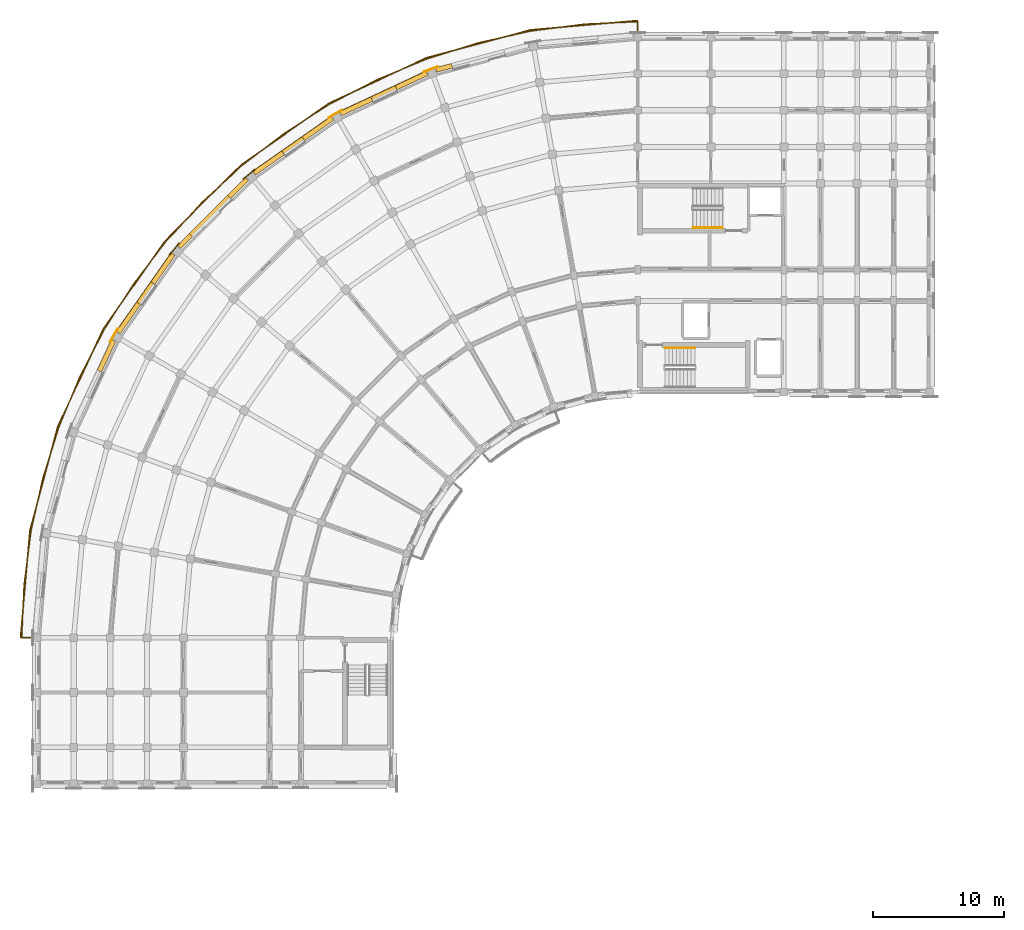
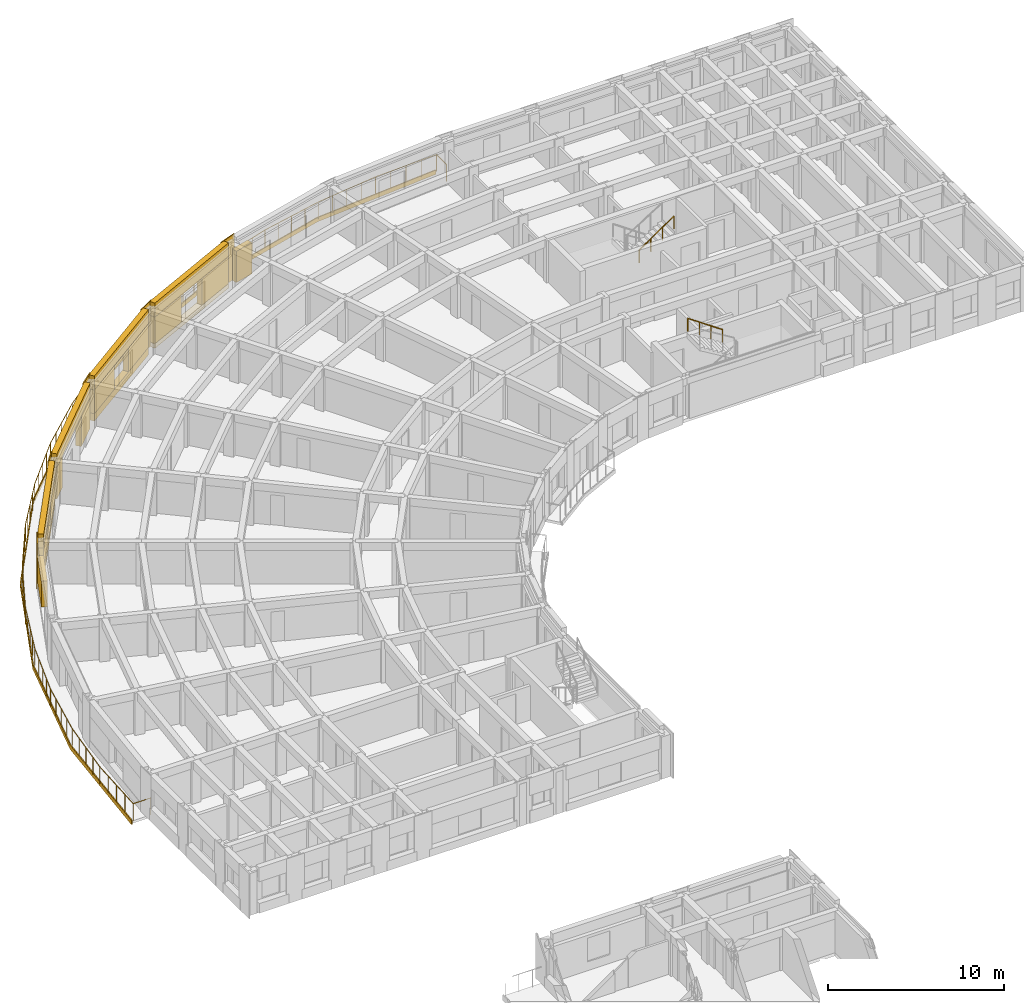
# One storey, part 44 of 53: 23 coverings, 3 railings.
"""IFC4 building model written with IfcOpenShell, lengths in metres."""

from ifc_helpers import new_model, si_unit, direction, frame, origin, origin_2d, place, context, subcontext, project, spatial, polyline, circle, outline, extrude, material, layer, layer_set, type_object, element, save


model = new_model("IFC4")

# Units and contexts
model_context = context("Model", 3, precision=1e-05, world=origin(), true_north=direction((0.0, 1.0)))
body_context = subcontext(model_context, "Body", "Model", "MODEL_VIEW")
ifc_project = project(units=[si_unit("LENGTHUNIT", "METRE"), si_unit("AREAUNIT", "SQUARE_METRE"), si_unit("VOLUMEUNIT", "CUBIC_METRE"), si_unit("PLANEANGLEUNIT", "RADIAN"), si_unit("MASSUNIT", "GRAM", prefix="KILO")], contexts=[model_context])

# Site, building, storey
site_placement = place(None, origin())
site = spatial("IfcSite", under=ifc_project, at=site_placement, CompositionType="ELEMENT")
building_placement = place(site_placement, origin())
building = spatial("IfcBuilding", under=site, at=building_placement, Name="Kiranvali Square Residences", CompositionType="ELEMENT")
storey_placement = place(building_placement, frame((0.0, 0.0, 30.75)))
storey = spatial("IfcBuildingStorey", under=building, at=storey_placement, Name="L09", CompositionType="ELEMENT", Elevation=30.75)

# Coverings
ifc_material_1 = material(Name="Carved Porbandar limestone classical entablature and cornice", Category="masonry")
ifc_layer_1 = layer(ifc_material_1, 0.072021484375)
ifc_layer_set_1 = layer_set([ifc_layer_1], Name="Carved Porbandar limestone classical entablature and cornice")
covering_type_1 = type_object("IfcCoveringType", Name="COV-CLAD-BAL", PredefinedType="CLADDING", material=ifc_layer_set_1)
covering_1_placement = place(storey_placement, frame((0.0, 0.0, -0.239990234375)))
element("IfcCovering", 1, at=covering_1_placement, inside=storey, type_object=covering_type_1, Name="Block A L09 continuous curved limestone balcony fascia", PredefinedType="CLADDING", context=body_context, shape_type="SweptSolid", body=[
    extrude(outline(polyline([(48.199951171875, 135.117919921875), (39.9833984375, 134.399169921875), (32.016357421875, 132.264404296875), (24.541015625, 128.778564453125), (17.78466796875, 124.047607421875), (11.952392578125, 118.21533203125), (7.221435546875, 111.458984375), (3.735595703125, 103.983642578125), (1.600830078125, 96.0166015625), (0.882080078125, 87.800048828125), (0.947998046875, 87.800048828125), (1.665771484375, 96.005126953125), (3.797607421875, 103.961181640625), (7.278564453125, 111.426025390625), (12.0029296875, 118.173095703125), (17.826904296875, 123.9970703125), (24.573974609375, 128.721435546875), (32.038818359375, 132.202392578125), (39.994873046875, 134.334228515625), (48.199951171875, 135.052001953125), (48.199951171875, 135.117919921875)])), origin(), (0.0, 0.0, 1.0), 0.300048828125),
])
ifc_material_2 = material(Name="Honed Porbandar limestone ashlar facade cladding", Category="masonry")
ifc_layer_2 = layer(ifc_material_2, 0.3798828125)
ifc_layer_set_2 = layer_set([ifc_layer_2], Name="Honed Porbandar limestone ashlar facade cladding")
covering_type_2 = type_object("IfcCoveringType", Name="COV-CLAD-JAMB", PredefinedType="CLADDING", material=ifc_layer_set_2)
covering_2_placement = place(storey_placement, origin())
element("IfcCovering", 2, at=covering_2_placement, inside=storey, type_object=covering_type_2, Name="L09 deep limestone window jamb reveal A-L09-CRV-01.R", PredefinedType="CLADDING", context=body_context, shape_type="SweptSolid", body=[
    extrude(outline(polyline([(33.922119140625, 131.788330078125), (32.7119140625, 131.464111328125), (32.804931640625, 131.116943359375), (34.01513671875, 131.441162109375), (33.922119140625, 131.788330078125)])), origin(), (0.0, 0.0, 1.0), 2.179931640625),
])
covering_3_placement = place(storey_placement, frame((0.0, 0.0, 0.322021484375)))
element("IfcCovering", 3, at=covering_3_placement, inside=storey, type_object=covering_type_2, Name="L09 deep limestone window jamb reveal A-L09-CRV-02.L", PredefinedType="CLADDING", context=body_context, shape_type="SweptSolid", body=[
    extrude(outline(polyline([(31.997802734375, 131.2041015625), (29.6103515625, 130.091064453125), (29.76220703125, 129.76513671875), (32.149658203125, 130.87841796875), (31.997802734375, 131.2041015625)])), origin(), (0.0, 0.0, 1.0), 1.85009765625),
])
covering_4_placement = place(storey_placement, frame((0.0, 0.0, 0.322021484375)))
element("IfcCovering", 4, at=covering_4_placement, inside=storey, type_object=covering_type_2, Name="L09 deep limestone window jamb reveal A-L09-CRV-02.R", PredefinedType="CLADDING", context=body_context, shape_type="SweptSolid", body=[
    extrude(outline(polyline([(27.75244140625, 129.224609375), (25.364990234375, 128.111328125), (25.51708984375, 127.78564453125), (27.904296875, 128.898681640625), (27.75244140625, 129.224609375)])), origin(), (0.0, 0.0, 1.0), 1.85009765625),
])
covering_5_placement = place(storey_placement, frame((0.0, 0.0, 0.52197265625)))
element("IfcCovering", 5, at=covering_5_placement, inside=storey, type_object=covering_type_2, Name="L09 deep limestone window jamb reveal A-L09-CRV-03.L", PredefinedType="CLADDING", context=body_context, shape_type="SweptSolid", body=[
    extrude(outline(polyline([(24.706787109375, 127.731201171875), (22.487548828125, 126.177490234375), (22.69384765625, 125.8828125), (24.9130859375, 127.436767578125), (24.706787109375, 127.731201171875)])), origin(), (0.0, 0.0, 1.0), 1.650146484375),
])
covering_6_placement = place(storey_placement, frame((0.0, 0.0, 0.52197265625)))
element("IfcCovering", 6, at=covering_6_placement, inside=storey, type_object=covering_type_2, Name="L09 deep limestone window jamb reveal A-L09-CRV-03.R", PredefinedType="CLADDING", context=body_context, shape_type="SweptSolid", body=[
    extrude(outline(polyline([(20.93115234375, 125.087646484375), (18.7119140625, 123.53369140625), (18.918212890625, 123.2392578125), (21.137451171875, 124.793212890625), (20.93115234375, 125.087646484375)])), origin(), (0.0, 0.0, 1.0), 1.650146484375),
])
covering_7_placement = place(storey_placement, origin())
element("IfcCovering", 7, at=covering_7_placement, inside=storey, type_object=covering_type_2, Name="L09 deep limestone window jamb reveal A-L09-CRV-04.L", PredefinedType="CLADDING", context=body_context, shape_type="SweptSolid", body=[
    extrude(outline(polyline([(18.129638671875, 123.045166015625), (16.778076171875, 121.693603515625), (17.032470703125, 121.439453125), (18.384033203125, 122.791015625), (18.129638671875, 123.045166015625)])), origin(), (0.0, 0.0, 1.0), 2.179931640625),
])
covering_8_placement = place(storey_placement, origin())
element("IfcCovering", 8, at=covering_8_placement, inside=storey, type_object=covering_type_2, Name="L09 deep limestone window jamb reveal A-L09-CRV-04.R", PredefinedType="CLADDING", context=body_context, shape_type="SweptSolid", body=[
    extrude(outline(polyline([(13.8408203125, 118.756103515625), (12.954833984375, 117.870361328125), (13.208984375, 117.615966796875), (14.094970703125, 118.501953125), (13.8408203125, 118.756103515625)])), origin(), (0.0, 0.0, 1.0), 2.179931640625),
])
covering_9_placement = place(storey_placement, frame((0.0, 0.0, 0.52197265625)))
element("IfcCovering", 9, at=covering_9_placement, inside=storey, type_object=covering_type_2, Name="L09 deep limestone window jamb reveal A-L09-CRV-05.L", PredefinedType="CLADDING", context=body_context, shape_type="SweptSolid", body=[
    extrude(outline(polyline([(12.46630859375, 117.2880859375), (10.912353515625, 115.06884765625), (11.206787109375, 114.862548828125), (12.7607421875, 117.081787109375), (12.46630859375, 117.2880859375)])), origin(), (0.0, 0.0, 1.0), 1.650146484375),
])
covering_10_placement = place(storey_placement, frame((0.0, 0.0, 0.52197265625)))
element("IfcCovering", 10, at=covering_10_placement, inside=storey, type_object=covering_type_2, Name="L09 deep limestone window jamb reveal A-L09-CRV-05.R", PredefinedType="CLADDING", context=body_context, shape_type="SweptSolid", body=[
    extrude(outline(polyline([(9.822509765625, 113.512451171875), (8.268798828125, 111.293212890625), (8.563232421875, 111.0869140625), (10.1171875, 113.30615234375), (9.822509765625, 113.512451171875)])), origin(), (0.0, 0.0, 1.0), 1.650146484375),
])
covering_11_placement = place(storey_placement, frame((0.0, 0.0, 0.3720703125)))
element("IfcCovering", 11, at=covering_11_placement, inside=storey, type_object=covering_type_2, Name="L09 deep limestone window jamb reveal A-L09-CRV-06.L", PredefinedType="CLADDING", context=body_context, shape_type="SweptSolid", body=[
    extrude(outline(polyline([(7.888671875, 110.635009765625), (6.80712890625, 108.3154296875), (7.1328125, 108.16357421875), (8.21435546875, 110.48291015625), (7.888671875, 110.635009765625)])), origin(), (0.0, 0.0, 1.0), 1.800048828125),
])
ifc_layer_3 = layer(ifc_material_2, 0.06494140625)
ifc_layer_set_3 = layer_set([ifc_layer_3], Name="Honed Porbandar limestone ashlar facade cladding")
covering_type_3 = type_object("IfcCoveringType", Name="COV-CLAD-PIER", PredefinedType="CLADDING", material=ifc_layer_set_3)
covering_12_placement = place(storey_placement, frame((0.0, 0.0, 0.0048828125)))
element("IfcCovering", 12, at=covering_12_placement, inside=storey, type_object=covering_type_3, Name="L09 Classical limestone corner pilaster CLAD-PR-A-L09-A02", PredefinedType="CLADDING", context=body_context, shape_type="SweptSolid", body=[
    extrude(outline(polyline([(32.88623046875, 131.570068359375), (31.796142578125, 131.17333984375), (31.8193359375, 131.10986328125), (32.909423828125, 131.506591796875), (32.88623046875, 131.570068359375)])), origin(), (0.0, 0.0, 1.0), 3.14013671875),
])
covering_13_placement = place(storey_placement, frame((0.0, 0.0, 0.0048828125)))
element("IfcCovering", 13, at=covering_13_placement, inside=storey, type_object=covering_type_3, Name="L09 Classical limestone corner pilaster CLAD-PR-A-L09-A03", PredefinedType="CLADDING", context=body_context, shape_type="SweptSolid", body=[
    extrude(outline(polyline([(25.518310546875, 128.245849609375), (24.513671875, 127.665771484375), (24.54736328125, 127.607421875), (25.552001953125, 128.1875), (25.518310546875, 128.245849609375)])), origin(), (0.0, 0.0, 1.0), 3.14013671875),
])
covering_14_placement = place(storey_placement, frame((0.0, 0.0, 0.0048828125)))
element("IfcCovering", 14, at=covering_14_placement, inside=storey, type_object=covering_type_3, Name="L09 Classical limestone corner pilaster CLAD-PR-A-L09-A04", PredefinedType="CLADDING", context=body_context, shape_type="SweptSolid", body=[
    extrude(outline(polyline([(18.839599609375, 123.69287109375), (17.950927734375, 122.947021484375), (17.994384765625, 122.8955078125), (18.8828125, 123.64111328125), (18.839599609375, 123.69287109375)])), origin(), (0.0, 0.0, 1.0), 3.14013671875),
])
covering_15_placement = place(storey_placement, frame((0.0, 0.0, 0.0048828125)))
element("IfcCovering", 15, at=covering_15_placement, inside=storey, type_object=covering_type_3, Name="L09 Classical limestone corner pilaster CLAD-PR-A-L09-A05", PredefinedType="CLADDING", context=body_context, shape_type="SweptSolid", body=[
    extrude(outline(polyline([(13.052978515625, 118.049072265625), (12.30712890625, 117.160400390625), (12.35888671875, 117.1171875), (13.1044921875, 118.005615234375), (13.052978515625, 118.049072265625)])), origin(), (0.0, 0.0, 1.0), 3.14013671875),
])
covering_16_placement = place(storey_placement, frame((0.0, 0.0, 0.0048828125)))
element("IfcCovering", 16, at=covering_16_placement, inside=storey, type_object=covering_type_3, Name="L09 Classical limestone corner pilaster CLAD-PR-A-L09-A06", PredefinedType="CLADDING", context=body_context, shape_type="SweptSolid", body=[
    extrude(outline(polyline([(8.334228515625, 111.486328125), (7.754150390625, 110.481689453125), (7.8125, 110.447998046875), (8.392578125, 111.45263671875), (8.334228515625, 111.486328125)])), origin(), (0.0, 0.0, 1.0), 3.14013671875),
])
ifc_layer_4 = layer(ifc_material_2, 0.360107421875)
ifc_layer_set_4 = layer_set([ifc_layer_4], Name="Honed Porbandar limestone ashlar facade cladding")
covering_type_4 = type_object("IfcCoveringType", Name="COV-CLAD-WALL", PredefinedType="CLADDING", material=ifc_layer_set_4)
covering_17_placement = place(storey_placement, frame((0.0, 0.0, 2.172119140625)))
element("IfcCovering", 17, at=covering_17_placement, inside=storey, type_object=covering_type_4, Name="L09 light limestone spandrel lintel A-L09-CRV-02", PredefinedType="CLADDING", context=body_context, shape_type="SweptSolid", body=[
    extrude(outline(polyline([(31.997802734375, 131.2041015625), (25.364990234375, 128.111328125), (25.51708984375, 127.78564453125), (32.149658203125, 130.87841796875), (31.997802734375, 131.2041015625)])), origin(), (0.0, 0.0, 1.0), 0.972900390625),
])
covering_18_placement = place(storey_placement, frame((0.0, 0.0, 0.0048828125)))
element("IfcCovering", 18, at=covering_18_placement, inside=storey, type_object=covering_type_4, Name="L09 limestone window sill apron A-L09-CRV-02", PredefinedType="CLADDING", context=body_context, shape_type="SweptSolid", body=[
    extrude(outline(polyline([(31.985107421875, 131.2314453125), (25.352294921875, 128.138671875), (25.51708984375, 127.78564453125), (32.149658203125, 130.87841796875), (31.985107421875, 131.2314453125)])), origin(), (0.0, 0.0, 1.0), 0.317138671875),
])
covering_19_placement = place(storey_placement, frame((0.0, 0.0, 2.172119140625)))
element("IfcCovering", 19, at=covering_19_placement, inside=storey, type_object=covering_type_4, Name="L09 light limestone spandrel lintel A-L09-CRV-03", PredefinedType="CLADDING", context=body_context, shape_type="SweptSolid", body=[
    extrude(outline(polyline([(24.706787109375, 127.731201171875), (18.7119140625, 123.53369140625), (18.918212890625, 123.2392578125), (24.9130859375, 127.436767578125), (24.706787109375, 127.731201171875)])), origin(), (0.0, 0.0, 1.0), 0.972900390625),
])
covering_20_placement = place(storey_placement, frame((0.0, 0.0, 0.0048828125)))
element("IfcCovering", 20, at=covering_20_placement, inside=storey, type_object=covering_type_4, Name="L09 limestone window sill apron A-L09-CRV-03", PredefinedType="CLADDING", context=body_context, shape_type="SweptSolid", body=[
    extrude(outline(polyline([(24.689697265625, 127.755859375), (18.69482421875, 123.558349609375), (18.918212890625, 123.2392578125), (24.9130859375, 127.436767578125), (24.689697265625, 127.755859375)])), origin(), (0.0, 0.0, 1.0), 0.51708984375),
])
covering_21_placement = place(storey_placement, frame((0.0, 0.0, 2.179931640625)))
element("IfcCovering", 21, at=covering_21_placement, inside=storey, type_object=covering_type_4, Name="L09 light limestone spandrel lintel A-L09-CRV-04", PredefinedType="CLADDING", context=body_context, shape_type="SweptSolid", body=[
    extrude(outline(polyline([(18.129638671875, 123.045166015625), (12.954833984375, 117.870361328125), (13.208984375, 117.615966796875), (18.384033203125, 122.791015625), (18.129638671875, 123.045166015625)])), origin(), (0.0, 0.0, 1.0), 0.965087890625),
])
covering_22_placement = place(storey_placement, frame((0.0, 0.0, 2.172119140625)))
element("IfcCovering", 22, at=covering_22_placement, inside=storey, type_object=covering_type_4, Name="L09 light limestone spandrel lintel A-L09-CRV-05", PredefinedType="CLADDING", context=body_context, shape_type="SweptSolid", body=[
    extrude(outline(polyline([(12.46630859375, 117.2880859375), (8.268798828125, 111.293212890625), (8.563232421875, 111.0869140625), (12.7607421875, 117.081787109375), (12.46630859375, 117.2880859375)])), origin(), (0.0, 0.0, 1.0), 0.972900390625),
])
covering_23_placement = place(storey_placement, frame((0.0, 0.0, 0.0048828125)))
element("IfcCovering", 23, at=covering_23_placement, inside=storey, type_object=covering_type_4, Name="L09 limestone window sill apron A-L09-CRV-05", PredefinedType="CLADDING", context=body_context, shape_type="SweptSolid", body=[
    extrude(outline(polyline([(12.441650390625, 117.30517578125), (8.244140625, 111.310302734375), (8.563232421875, 111.0869140625), (12.7607421875, 117.081787109375), (12.441650390625, 117.30517578125)])), origin(), (0.0, 0.0, 1.0), 0.51708984375),
])

# Railings
ifc_material_3 = material(Name="Powder-coated architectural bronze balustrade", Category="steel")
railing_type_1 = type_object("IfcRailingType", Name="RL-BAL-GOLD-1200", PredefinedType="BALUSTRADE", material=ifc_material_3)
railing_1_placement = place(storey_placement, frame((48.199951171875, 133.840087890625, 0.0)))
element("IfcRailing", 24, at=railing_1_placement, inside=storey, type_object=railing_type_1, Name="Block A L09 continuous curved corner gold balustrade", PredefinedType="BALUSTRADE", context=body_context, shape_type="SweptSolid", body=[
    extrude(circle(Radius=0.02392578125, at=origin_2d()), frame((0.0, 0.0, 1.17578125), z_axis=(0.0, 1.0, 0.0), x_axis=(-1.0, 0.0, 0.0)), (0.0, 0.0, 1.0), 1.14990234375),
    extrude(circle(Radius=0.02392578125, at=origin_2d()), frame((0.0, 1.14990234375, 1.17578125), z_axis=(-0.999049544955, -0.043589066576, 0.0), x_axis=(0.043589066576, -0.999049544955, 0.0)), (0.0, 0.0, 1.0), 4.11669921875),
    extrude(circle(Radius=0.02392578125, at=origin_2d()), frame((-4.11279296875, 0.970458984375, 1.17578125), z_axis=(-0.991444603928, -0.1305281477, 0.0), x_axis=(0.1305281477, -0.991444603928, 0.0)), (0.0, 0.0, 1.0), 4.11669921875),
    extrude(circle(Radius=0.02392578125, at=origin_2d()), frame((-8.1943359375, 0.43310546875, 1.17578125), z_axis=(-0.976292989924, -0.216453223181, 0.0), x_axis=(0.216453223181, -0.976292989924, 0.0)), (0.0, 0.0, 1.0), 4.116943359375),
    extrude(circle(Radius=0.02392578125, at=origin_2d()), frame((-12.213623046875, -0.4580078125, 1.17578125), z_axis=(-0.953710744932, -0.300725481131, 0.0), x_axis=(0.300725481131, -0.953710744932, 0.0)), (0.0, 0.0, 1.0), 4.116943359375),
    extrude(circle(Radius=0.02392578125, at=origin_2d()), frame((-16.139892578125, -1.696044921875, 1.17578125), z_axis=(-0.923880226262, -0.382681757498, 0.0), x_axis=(0.382681757498, -0.923880226262, 0.0)), (0.0, 0.0, 1.0), 4.116943359375),
    extrude(circle(Radius=0.02392578125, at=origin_2d()), frame((-19.943359375, -3.271484375, 1.17578125), z_axis=(-0.887013781313, -0.461742949877, 0.0), x_axis=(0.461742949877, -0.887013781313, 0.0)), (0.0, 0.0, 1.0), 4.11669921875),
    extrude(circle(Radius=0.02392578125, at=origin_2d()), frame((-23.594970703125, -5.17236328125, 1.17578125), z_axis=(-0.843402550976, -0.537282176335, 0.0), x_axis=(0.537282176335, -0.843402550976, 0.0)), (0.0, 0.0, 1.0), 4.116943359375),
    extrude(circle(Radius=0.02392578125, at=origin_2d()), frame((-27.067138671875, -7.38427734375, 1.17578125), z_axis=(-0.793339967331, -0.608778856594, 0.0), x_axis=(0.608778856594, -0.793339967331, 0.0)), (0.0, 0.0, 1.0), 4.11669921875),
    extrude(circle(Radius=0.02392578125, at=origin_2d()), frame((-30.3330078125, -9.890380859375, 1.17578125), z_axis=(-0.737299356654, -0.675566176386, 0.0), x_axis=(0.675566176386, -0.737299356654, 0.0)), (0.0, 0.0, 1.0), 4.116943359375),
    extrude(circle(Radius=0.02392578125, at=origin_2d()), frame((-33.368408203125, -12.671630859375, 1.17578125), z_axis=(-0.675566176386, -0.737299356654, 0.0), x_axis=(0.737299356654, -0.675566176386, 0.0)), (0.0, 0.0, 1.0), 4.116943359375),
    extrude(circle(Radius=0.02392578125, at=origin_2d()), frame((-36.149658203125, -15.70703125, 1.17578125), z_axis=(-0.608778856594, -0.793339967331, 0.0), x_axis=(0.793339967331, -0.608778856594, 0.0)), (0.0, 0.0, 1.0), 4.11669921875),
    extrude(circle(Radius=0.02392578125, at=origin_2d()), frame((-38.65576171875, -18.972900390625, 1.17578125), z_axis=(-0.537282176335, -0.843402550976, 0.0), x_axis=(0.843402550976, -0.537282176335, 0.0)), (0.0, 0.0, 1.0), 4.116943359375),
    extrude(circle(Radius=0.02392578125, at=origin_2d()), frame((-40.86767578125, -22.445068359375, 1.17578125), z_axis=(-0.461742949877, -0.887013781313, 0.0), x_axis=(0.887013781313, -0.461742949877, 0.0)), (0.0, 0.0, 1.0), 4.11669921875),
    extrude(circle(Radius=0.02392578125, at=origin_2d()), frame((-42.7685546875, -26.0966796875, 1.17578125), z_axis=(-0.382681757498, -0.923880226262, 0.0), x_axis=(0.923880226262, -0.382681757498, 0.0)), (0.0, 0.0, 1.0), 4.116943359375),
    extrude(circle(Radius=0.02392578125, at=origin_2d()), frame((-44.343994140625, -29.900146484375, 1.17578125), z_axis=(-0.300725481131, -0.953710744932, 0.0), x_axis=(0.953710744932, -0.300725481131, 0.0)), (0.0, 0.0, 1.0), 4.116943359375),
    extrude(circle(Radius=0.02392578125, at=origin_2d()), frame((-45.58203125, -33.826416015625, 1.17578125), z_axis=(-0.216453223181, -0.976292989924, 0.0), x_axis=(0.976292989924, -0.216453223181, 0.0)), (0.0, 0.0, 1.0), 4.116943359375),
    extrude(circle(Radius=0.02392578125, at=origin_2d()), frame((-46.47314453125, -37.845703125, 1.17578125), z_axis=(-0.1305281477, -0.991444603928, 0.0), x_axis=(0.991444603928, -0.1305281477, 0.0)), (0.0, 0.0, 1.0), 4.11669921875),
    extrude(circle(Radius=0.02392578125, at=origin_2d()), frame((-47.010498046875, -41.92724609375, 1.17578125), z_axis=(-0.043589066576, -0.999049544955, 0.0), x_axis=(0.999049544955, -0.043589066576, 0.0)), (0.0, 0.0, 1.0), 4.11669921875),
    extrude(circle(Radius=0.02392578125, at=origin_2d()), frame((-47.18994140625, -46.0400390625, 1.17578125), z_axis=(1.0, 0.0, 0.0), x_axis=(0.0, 1.0, 0.0)), (0.0, 0.0, 1.0), 1.14990234375),
    extrude(circle(Radius=0.02099609375, at=origin_2d()), origin(), (0.0, 0.0, 1.0), 1.15185546875),
    extrude(circle(Radius=0.02099609375, at=origin_2d()), frame((0.0, 1.14990234375, 0.0)), (0.0, 0.0, 1.0), 1.15185546875),
    extrude(circle(Radius=0.02099609375, at=origin_2d()), frame((-1.0283203125, 1.10498046875, 0.0)), (0.0, 0.0, 1.0), 1.15185546875),
    extrude(circle(Radius=0.02099609375, at=origin_2d()), frame((-2.056396484375, 1.06005859375, 0.0)), (0.0, 0.0, 1.0), 1.15185546875),
    extrude(circle(Radius=0.02099609375, at=origin_2d()), frame((-3.08447265625, 1.015380859375, 0.0)), (0.0, 0.0, 1.0), 1.15185546875),
    extrude(circle(Radius=0.02099609375, at=origin_2d()), frame((-4.11279296875, 0.970458984375, 0.0)), (0.0, 0.0, 1.0), 1.15185546875),
    extrude(circle(Radius=0.02099609375, at=origin_2d()), frame((-5.13330078125, 0.836181640625, 0.0)), (0.0, 0.0, 1.0), 1.15185546875),
    extrude(circle(Radius=0.02099609375, at=origin_2d()), frame((-6.153564453125, 0.70166015625, 0.0)), (0.0, 0.0, 1.0), 1.15185546875),
    extrude(circle(Radius=0.02099609375, at=origin_2d()), frame((-7.173828125, 0.5673828125, 0.0)), (0.0, 0.0, 1.0), 1.15185546875),
    extrude(circle(Radius=0.02099609375, at=origin_2d()), frame((-8.1943359375, 0.43310546875, 0.0)), (0.0, 0.0, 1.0), 1.15185546875),
    extrude(circle(Radius=0.02099609375, at=origin_2d()), frame((-9.19921875, 0.21044921875, 0.0)), (0.0, 0.0, 1.0), 1.15185546875),
    extrude(circle(Radius=0.02099609375, at=origin_2d()), frame((-10.2041015625, -0.012451171875, 0.0)), (0.0, 0.0, 1.0), 1.15185546875),
    extrude(circle(Radius=0.02099609375, at=origin_2d()), frame((-11.208740234375, -0.2353515625, 0.0)), (0.0, 0.0, 1.0), 1.15185546875),
    extrude(circle(Radius=0.02099609375, at=origin_2d()), frame((-12.213623046875, -0.4580078125, 0.0)), (0.0, 0.0, 1.0), 1.15185546875),
    extrude(circle(Radius=0.02099609375, at=origin_2d()), frame((-13.1953125, -0.767578125, 0.0)), (0.0, 0.0, 1.0), 1.15185546875),
    extrude(circle(Radius=0.02099609375, at=origin_2d()), frame((-14.1767578125, -1.0771484375, 0.0)), (0.0, 0.0, 1.0), 1.15185546875),
    extrude(circle(Radius=0.02099609375, at=origin_2d()), frame((-15.158203125, -1.386474609375, 0.0)), (0.0, 0.0, 1.0), 1.15185546875),
    extrude(circle(Radius=0.02099609375, at=origin_2d()), frame((-16.139892578125, -1.696044921875, 0.0)), (0.0, 0.0, 1.0), 1.15185546875),
    extrude(circle(Radius=0.02099609375, at=origin_2d()), frame((-17.0908203125, -2.08984375, 0.0)), (0.0, 0.0, 1.0), 1.15185546875),
    extrude(circle(Radius=0.02099609375, at=origin_2d()), frame((-18.04150390625, -2.48388671875, 0.0)), (0.0, 0.0, 1.0), 1.15185546875),
    extrude(circle(Radius=0.02099609375, at=origin_2d()), frame((-18.992431640625, -2.877685546875, 0.0)), (0.0, 0.0, 1.0), 1.15185546875),
    extrude(circle(Radius=0.02099609375, at=origin_2d()), frame((-19.943359375, -3.271484375, 0.0)), (0.0, 0.0, 1.0), 1.15185546875),
    extrude(circle(Radius=0.02099609375, at=origin_2d()), frame((-20.856201171875, -3.74658203125, 0.0)), (0.0, 0.0, 1.0), 1.15185546875),
    extrude(circle(Radius=0.02099609375, at=origin_2d()), frame((-21.76904296875, -4.221923828125, 0.0)), (0.0, 0.0, 1.0), 1.15185546875),
    extrude(circle(Radius=0.02099609375, at=origin_2d()), frame((-22.68212890625, -4.697265625, 0.0)), (0.0, 0.0, 1.0), 1.15185546875),
    extrude(circle(Radius=0.02099609375, at=origin_2d()), frame((-23.594970703125, -5.17236328125, 0.0)), (0.0, 0.0, 1.0), 1.15185546875),
    extrude(circle(Radius=0.02099609375, at=origin_2d()), frame((-24.462890625, -5.725341796875, 0.0)), (0.0, 0.0, 1.0), 1.15185546875),
    extrude(circle(Radius=0.02099609375, at=origin_2d()), frame((-25.3310546875, -6.2783203125, 0.0)), (0.0, 0.0, 1.0), 1.15185546875),
    extrude(circle(Radius=0.02099609375, at=origin_2d()), frame((-26.19921875, -6.831298828125, 0.0)), (0.0, 0.0, 1.0), 1.15185546875),
    extrude(circle(Radius=0.02099609375, at=origin_2d()), frame((-27.067138671875, -7.38427734375, 0.0)), (0.0, 0.0, 1.0), 1.15185546875),
    extrude(circle(Radius=0.02099609375, at=origin_2d()), frame((-27.883544921875, -8.0107421875, 0.0)), (0.0, 0.0, 1.0), 1.15185546875),
    extrude(circle(Radius=0.02099609375, at=origin_2d()), frame((-28.7001953125, -8.63720703125, 0.0)), (0.0, 0.0, 1.0), 1.15185546875),
    extrude(circle(Radius=0.02099609375, at=origin_2d()), frame((-29.5166015625, -9.263916015625, 0.0)), (0.0, 0.0, 1.0), 1.15185546875),
    extrude(circle(Radius=0.02099609375, at=origin_2d()), frame((-30.3330078125, -9.890380859375, 0.0)), (0.0, 0.0, 1.0), 1.15185546875),
    extrude(circle(Radius=0.02099609375, at=origin_2d()), frame((-31.091796875, -10.585693359375, 0.0)), (0.0, 0.0, 1.0), 1.15185546875),
    extrude(circle(Radius=0.02099609375, at=origin_2d()), frame((-31.8505859375, -11.281005859375, 0.0)), (0.0, 0.0, 1.0), 1.15185546875),
    extrude(circle(Radius=0.02099609375, at=origin_2d()), frame((-32.609619140625, -11.976318359375, 0.0)), (0.0, 0.0, 1.0), 1.15185546875),
    extrude(circle(Radius=0.02099609375, at=origin_2d()), frame((-33.368408203125, -12.671630859375, 0.0)), (0.0, 0.0, 1.0), 1.15185546875),
    extrude(circle(Radius=0.02099609375, at=origin_2d()), frame((-34.063720703125, -13.430419921875, 0.0)), (0.0, 0.0, 1.0), 1.15185546875),
    extrude(circle(Radius=0.02099609375, at=origin_2d()), frame((-34.759033203125, -14.189453125, 0.0)), (0.0, 0.0, 1.0), 1.15185546875),
    extrude(circle(Radius=0.02099609375, at=origin_2d()), frame((-35.454345703125, -14.9482421875, 0.0)), (0.0, 0.0, 1.0), 1.15185546875),
    extrude(circle(Radius=0.02099609375, at=origin_2d()), frame((-36.149658203125, -15.70703125, 0.0)), (0.0, 0.0, 1.0), 1.15185546875),
    extrude(circle(Radius=0.02099609375, at=origin_2d()), frame((-36.776123046875, -16.5234375, 0.0)), (0.0, 0.0, 1.0), 1.15185546875),
    extrude(circle(Radius=0.02099609375, at=origin_2d()), frame((-37.40283203125, -17.33984375, 0.0)), (0.0, 0.0, 1.0), 1.15185546875),
    extrude(circle(Radius=0.02099609375, at=origin_2d()), frame((-38.029296875, -18.156494140625, 0.0)), (0.0, 0.0, 1.0), 1.15185546875),
    extrude(circle(Radius=0.02099609375, at=origin_2d()), frame((-38.65576171875, -18.972900390625, 0.0)), (0.0, 0.0, 1.0), 1.15185546875),
    extrude(circle(Radius=0.02099609375, at=origin_2d()), frame((-39.208740234375, -19.8408203125, 0.0)), (0.0, 0.0, 1.0), 1.15185546875),
    extrude(circle(Radius=0.02099609375, at=origin_2d()), frame((-39.76171875, -20.708984375, 0.0)), (0.0, 0.0, 1.0), 1.15185546875),
    extrude(circle(Radius=0.02099609375, at=origin_2d()), frame((-40.314697265625, -21.5771484375, 0.0)), (0.0, 0.0, 1.0), 1.15185546875),
    extrude(circle(Radius=0.02099609375, at=origin_2d()), frame((-40.86767578125, -22.445068359375, 0.0)), (0.0, 0.0, 1.0), 1.15185546875),
    extrude(circle(Radius=0.02099609375, at=origin_2d()), frame((-41.3427734375, -23.35791015625, 0.0)), (0.0, 0.0, 1.0), 1.15185546875),
    extrude(circle(Radius=0.02099609375, at=origin_2d()), frame((-41.818115234375, -24.27099609375, 0.0)), (0.0, 0.0, 1.0), 1.15185546875),
    extrude(circle(Radius=0.02099609375, at=origin_2d()), frame((-42.29345703125, -25.183837890625, 0.0)), (0.0, 0.0, 1.0), 1.15185546875),
    extrude(circle(Radius=0.02099609375, at=origin_2d()), frame((-42.7685546875, -26.0966796875, 0.0)), (0.0, 0.0, 1.0), 1.15185546875),
    extrude(circle(Radius=0.02099609375, at=origin_2d()), frame((-43.162353515625, -27.047607421875, 0.0)), (0.0, 0.0, 1.0), 1.15185546875),
    extrude(circle(Radius=0.02099609375, at=origin_2d()), frame((-43.55615234375, -27.99853515625, 0.0)), (0.0, 0.0, 1.0), 1.15185546875),
    extrude(circle(Radius=0.02099609375, at=origin_2d()), frame((-43.9501953125, -28.94921875, 0.0)), (0.0, 0.0, 1.0), 1.15185546875),
    extrude(circle(Radius=0.02099609375, at=origin_2d()), frame((-44.343994140625, -29.900146484375, 0.0)), (0.0, 0.0, 1.0), 1.15185546875),
    extrude(circle(Radius=0.02099609375, at=origin_2d()), frame((-44.653564453125, -30.8818359375, 0.0)), (0.0, 0.0, 1.0), 1.15185546875),
    extrude(circle(Radius=0.02099609375, at=origin_2d()), frame((-44.962890625, -31.86328125, 0.0)), (0.0, 0.0, 1.0), 1.15185546875),
    extrude(circle(Radius=0.02099609375, at=origin_2d()), frame((-45.2724609375, -32.8447265625, 0.0)), (0.0, 0.0, 1.0), 1.15185546875),
    extrude(circle(Radius=0.02099609375, at=origin_2d()), frame((-45.58203125, -33.826416015625, 0.0)), (0.0, 0.0, 1.0), 1.15185546875),
    extrude(circle(Radius=0.02099609375, at=origin_2d()), frame((-45.8046875, -34.831298828125, 0.0)), (0.0, 0.0, 1.0), 1.15185546875),
    extrude(circle(Radius=0.02099609375, at=origin_2d()), frame((-46.027587890625, -35.8359375, 0.0)), (0.0, 0.0, 1.0), 1.15185546875),
    extrude(circle(Radius=0.02099609375, at=origin_2d()), frame((-46.25048828125, -36.8408203125, 0.0)), (0.0, 0.0, 1.0), 1.15185546875),
    extrude(circle(Radius=0.02099609375, at=origin_2d()), frame((-46.47314453125, -37.845703125, 0.0)), (0.0, 0.0, 1.0), 1.15185546875),
    extrude(circle(Radius=0.02099609375, at=origin_2d()), frame((-46.607421875, -38.8662109375, 0.0)), (0.0, 0.0, 1.0), 1.15185546875),
    extrude(circle(Radius=0.02099609375, at=origin_2d()), frame((-46.74169921875, -39.886474609375, 0.0)), (0.0, 0.0, 1.0), 1.15185546875),
    extrude(circle(Radius=0.02099609375, at=origin_2d()), frame((-46.876220703125, -40.90673828125, 0.0)), (0.0, 0.0, 1.0), 1.15185546875),
    extrude(circle(Radius=0.02099609375, at=origin_2d()), frame((-47.010498046875, -41.92724609375, 0.0)), (0.0, 0.0, 1.0), 1.15185546875),
    extrude(circle(Radius=0.02099609375, at=origin_2d()), frame((-47.055419921875, -42.95556640625, 0.0)), (0.0, 0.0, 1.0), 1.15185546875),
    extrude(circle(Radius=0.02099609375, at=origin_2d()), frame((-47.10009765625, -43.983642578125, 0.0)), (0.0, 0.0, 1.0), 1.15185546875),
    extrude(circle(Radius=0.02099609375, at=origin_2d()), frame((-47.14501953125, -45.01171875, 0.0)), (0.0, 0.0, 1.0), 1.15185546875),
    extrude(circle(Radius=0.02099609375, at=origin_2d()), frame((-47.18994140625, -46.0400390625, 0.0)), (0.0, 0.0, 1.0), 1.15185546875),
    extrude(circle(Radius=0.02099609375, at=origin_2d()), frame((-46.0400390625, -46.0400390625, 0.0)), (0.0, 0.0, 1.0), 1.15185546875),
])
ifc_material_4 = material(Name="Brushed stainless steel tubular handrail", Category="steel")
railing_type_2 = type_object("IfcRailingType", Name="RL-HANDRAIL-900", PredefinedType="HANDRAIL", material=ifc_material_4)
railing_2_placement = place(storey_placement, frame((52.419921875, 119.199951171875, 1.75)))
element("IfcRailing", 25, at=railing_2_placement, inside=storey, type_object=railing_type_2, Name="L09 ST-A1 stair handrail 2", PredefinedType="HANDRAIL", context=body_context, shape_type="SweptSolid", body=[
    extrude(circle(Radius=0.02392578125, at=origin_2d()), frame((0.0, 0.0, 0.8759765625), z_axis=(0.82278801735, 0.0, 0.568348377763), x_axis=(0.0, 1.0, 0.0)), (0.0, 0.0, 1.0), 2.77099609375),
    extrude(circle(Radius=0.02099609375, at=origin_2d()), origin(), (0.0, 0.0, 1.0), 0.851806640625),
    extrude(circle(Radius=0.02099609375, at=origin_2d()), frame((0.760009765625, 0.0, 0.52490234375)), (0.0, 0.0, 1.0), 0.851806640625),
    extrude(circle(Radius=0.02099609375, at=origin_2d()), frame((1.52001953125, 0.0, 1.050048828125)), (0.0, 0.0, 1.0), 0.851806640625),
    extrude(circle(Radius=0.02099609375, at=origin_2d()), frame((2.280029296875, 0.0, 1.574951171875)), (0.0, 0.0, 1.0), 0.851806640625),
])
railing_3_placement = place(storey_placement, frame((52.580078125, 110.0, 1.75)))
element("IfcRailing", 26, at=railing_3_placement, inside=storey, type_object=railing_type_2, Name="L09 ST-A2 stair handrail 2", PredefinedType="HANDRAIL", context=body_context, shape_type="SweptSolid", body=[
    extrude(circle(Radius=0.02392578125, at=origin_2d()), frame((0.0, 0.0, 0.8759765625), z_axis=(-0.82278801735, 0.0, 0.568348377763), x_axis=(0.0, -1.0, 0.0)), (0.0, 0.0, 1.0), 2.77099609375),
    extrude(circle(Radius=0.02099609375, at=origin_2d()), origin(), (0.0, 0.0, 1.0), 0.851806640625),
    extrude(circle(Radius=0.02099609375, at=origin_2d()), frame((-0.760009765625, 0.0, 0.52490234375)), (0.0, 0.0, 1.0), 0.851806640625),
    extrude(circle(Radius=0.02099609375, at=origin_2d()), frame((-1.52001953125, 0.0, 1.050048828125)), (0.0, 0.0, 1.0), 0.851806640625),
    extrude(circle(Radius=0.02099609375, at=origin_2d()), frame((-2.280029296875, 0.0, 1.574951171875)), (0.0, 0.0, 1.0), 0.851806640625),
])

save(model, "model.ifc")
